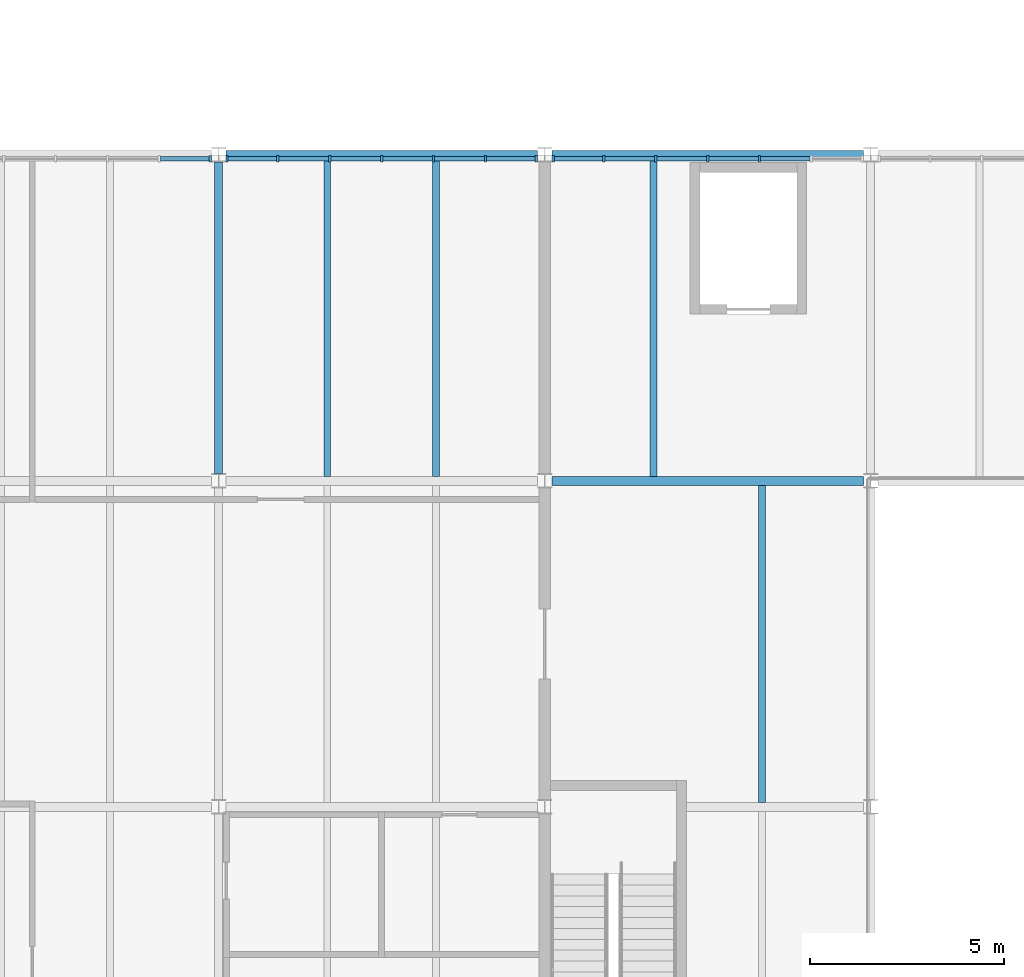
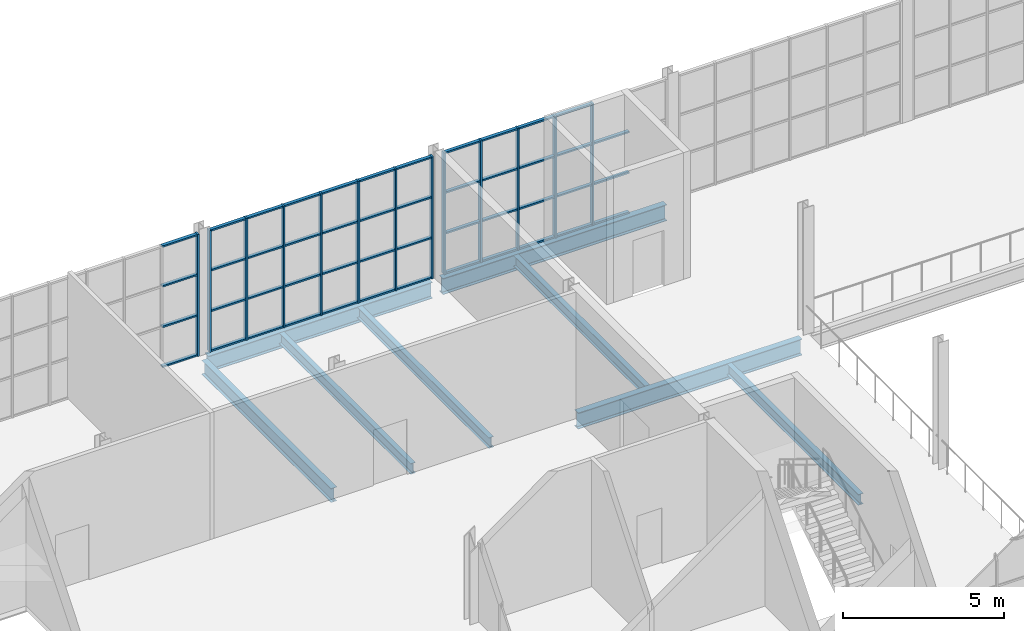
# One storey, part 40 of 127: 60 members, 8 beams, 3 elements without a shape of their own.
"""IFC4 building model written with IfcOpenShell, lengths in metres."""

from ifc_helpers import new_model, si_unit, direction, frame, origin, origin_2d, place, context, subcontext, project, spatial, rectangle, i_section, extrude, material, material_profile, profile_set, type_object, element, aggregate, save


model = new_model("IFC4")

# Units and contexts
model_context = context("Model", 3, precision=1e-05, world=origin(), true_north=direction((0.0, 1.0)))
body_context = subcontext(model_context, "Body", "Model", "MODEL_VIEW")
ifc_project = project(units=[si_unit("LENGTHUNIT", "METRE"), si_unit("AREAUNIT", "SQUARE_METRE"), si_unit("VOLUMEUNIT", "CUBIC_METRE"), si_unit("PLANEANGLEUNIT", "RADIAN"), si_unit("MASSUNIT", "GRAM", prefix="KILO")], contexts=[model_context])

# Site, building, storey
site_placement = place(None, origin())
site = spatial("IfcSite", under=ifc_project, at=site_placement, CompositionType="ELEMENT")
building_placement = place(site_placement, origin())
building = spatial("IfcBuilding", under=site, at=building_placement, Name="Ljudholm Concert House", CompositionType="ELEMENT")
storey_placement = place(building_placement, frame((0.0, 0.0, 5.39990234375)))
storey = spatial("IfcBuildingStorey", under=building, at=storey_placement, Name="L01", CompositionType="ELEMENT", Elevation=5.39990234375)

# Curtain wall, member
ifc_material_1 = material(Name="Aluminium curtain wall with impact-rated laminated glass", Category="aluminium")
curtain_wall_type = type_object("IfcCurtainWallType", Name="CURTAIN WALL 1400", PredefinedType="NOTDEFINED", material=ifc_material_1)
curtain_wall_1_placement = place(storey_placement, origin())
curtain_wall_1 = element("IfcCurtainWall", 1, at=curtain_wall_1_placement, inside=storey, type_object=curtain_wall_type, Name="North curtain wall", PredefinedType="NOTDEFINED")
ifc_material_2 = material(Name="Aluminium extrusion", Category="aluminium")
ifc_material_profile_1 = material_profile(ifc_material_2, rectangle(XDim=0.159912109375, YDim=0.06005859375, at=origin_2d()), Name="MULLION 60x160")
ifc_profile_set_1 = profile_set([ifc_material_profile_1], Name="Aluminium extrusion")
member_type_1 = type_object("IfcMemberType", Name="MULLION 60x160", PredefinedType="MULLION", material=ifc_profile_set_1)
member_1_placement = place(storey_placement, frame((20.583251953125, 129.89990234375, 0.0), z_axis=(0.0, 0.0, 1.0), x_axis=(0.0, 1.0, 0.0)))
member_1 = element("IfcMember", 2, at=member_1_placement, type_object=member_type_1, Name="Mullion", PredefinedType="MULLION", context=body_context, shape_type="SweptSolid", body=[
    extrude(rectangle(XDim=0.159912109375, YDim=0.06005859375, at=origin_2d()), origin(), (0.0, 0.0, 1.0), 4.6201171875),
])

# Curtain wall, members
curtain_wall_2_placement = place(storey_placement, origin())
curtain_wall_2 = element("IfcCurtainWall", 3, at=curtain_wall_2_placement, inside=storey, type_object=curtain_wall_type, Name="North curtain wall", PredefinedType="NOTDEFINED")
member_2_placement = place(storey_placement, frame((21.0166015625, 129.89990234375, 0.0), z_axis=(0.0, 0.0, 1.0), x_axis=(0.0, 1.0, 0.0)))
member_2 = element("IfcMember", 4, at=member_2_placement, type_object=member_type_1, Name="Mullion", PredefinedType="MULLION", context=body_context, shape_type="SweptSolid", body=[
    extrude(rectangle(XDim=0.159912109375, YDim=0.06005859375, at=origin_2d()), origin(), (0.0, 0.0, 1.0), 4.6201171875),
])
member_3_placement = place(storey_placement, frame((22.324462890625, 129.89990234375, 0.0), z_axis=(0.0, 0.0, 1.0), x_axis=(0.0, 1.0, 0.0)))
member_3 = element("IfcMember", 5, at=member_3_placement, type_object=member_type_1, Name="Mullion", PredefinedType="MULLION", context=body_context, shape_type="SweptSolid", body=[
    extrude(rectangle(XDim=0.159912109375, YDim=0.06005859375, at=origin_2d()), origin(), (0.0, 0.0, 1.0), 4.6201171875),
])
member_4_placement = place(storey_placement, frame((23.662109375, 129.89990234375, 0.0), z_axis=(0.0, 0.0, 1.0), x_axis=(0.0, 1.0, 0.0)))
member_4 = element("IfcMember", 6, at=member_4_placement, type_object=member_type_1, Name="Mullion", PredefinedType="MULLION", context=body_context, shape_type="SweptSolid", body=[
    extrude(rectangle(XDim=0.159912109375, YDim=0.06005859375, at=origin_2d()), origin(), (0.0, 0.0, 1.0), 4.6201171875),
])
member_5_placement = place(storey_placement, frame((25.0, 129.89990234375, 0.0), z_axis=(0.0, 0.0, 1.0), x_axis=(0.0, 1.0, 0.0)))
member_5 = element("IfcMember", 7, at=member_5_placement, type_object=member_type_1, Name="Mullion", PredefinedType="MULLION", context=body_context, shape_type="SweptSolid", body=[
    extrude(rectangle(XDim=0.159912109375, YDim=0.06005859375, at=origin_2d()), origin(), (0.0, 0.0, 1.0), 4.6201171875),
])
member_6_placement = place(storey_placement, frame((26.337890625, 129.89990234375, 0.0), z_axis=(0.0, 0.0, 1.0), x_axis=(0.0, 1.0, 0.0)))
member_6 = element("IfcMember", 8, at=member_6_placement, type_object=member_type_1, Name="Mullion", PredefinedType="MULLION", context=body_context, shape_type="SweptSolid", body=[
    extrude(rectangle(XDim=0.159912109375, YDim=0.06005859375, at=origin_2d()), origin(), (0.0, 0.0, 1.0), 4.6201171875),
])
member_7_placement = place(storey_placement, frame((27.675537109375, 129.89990234375, 0.0), z_axis=(0.0, 0.0, 1.0), x_axis=(0.0, 1.0, 0.0)))
member_7 = element("IfcMember", 9, at=member_7_placement, type_object=member_type_1, Name="Mullion", PredefinedType="MULLION", context=body_context, shape_type="SweptSolid", body=[
    extrude(rectangle(XDim=0.159912109375, YDim=0.06005859375, at=origin_2d()), origin(), (0.0, 0.0, 1.0), 4.6201171875),
])
member_8_placement = place(storey_placement, frame((28.9833984375, 129.89990234375, 0.0), z_axis=(0.0, 0.0, 1.0), x_axis=(0.0, 1.0, 0.0)))
member_8 = element("IfcMember", 10, at=member_8_placement, type_object=member_type_1, Name="Mullion", PredefinedType="MULLION", context=body_context, shape_type="SweptSolid", body=[
    extrude(rectangle(XDim=0.159912109375, YDim=0.06005859375, at=origin_2d()), origin(), (0.0, 0.0, 1.0), 4.6201171875),
])

curtain_wall_3_placement = place(storey_placement, origin())
curtain_wall_3 = element("IfcCurtainWall", 11, at=curtain_wall_3_placement, inside=storey, type_object=curtain_wall_type, Name="North curtain wall", PredefinedType="NOTDEFINED")
member_9_placement = place(storey_placement, frame((29.419921875, 129.89990234375, 0.0), z_axis=(0.0, 0.0, 1.0), x_axis=(0.0, 1.0, 0.0)))
member_9 = element("IfcMember", 12, at=member_9_placement, type_object=member_type_1, Name="Mullion", PredefinedType="MULLION", context=body_context, shape_type="SweptSolid", body=[
    extrude(rectangle(XDim=0.159912109375, YDim=0.06005859375, at=origin_2d()), origin(), (0.0, 0.0, 1.0), 4.6201171875),
])
member_10_placement = place(storey_placement, frame((30.7265625, 129.89990234375, 0.0), z_axis=(0.0, 0.0, 1.0), x_axis=(0.0, 1.0, 0.0)))
member_10 = element("IfcMember", 13, at=member_10_placement, type_object=member_type_1, Name="Mullion", PredefinedType="MULLION", context=body_context, shape_type="SweptSolid", body=[
    extrude(rectangle(XDim=0.159912109375, YDim=0.06005859375, at=origin_2d()), origin(), (0.0, 0.0, 1.0), 4.6201171875),
])
member_11_placement = place(storey_placement, frame((32.063232421875, 129.89990234375, 0.0), z_axis=(0.0, 0.0, 1.0), x_axis=(0.0, 1.0, 0.0)))
member_11 = element("IfcMember", 14, at=member_11_placement, type_object=member_type_1, Name="Mullion", PredefinedType="MULLION", context=body_context, shape_type="SweptSolid", body=[
    extrude(rectangle(XDim=0.159912109375, YDim=0.06005859375, at=origin_2d()), origin(), (0.0, 0.0, 1.0), 4.6201171875),
])
member_12_placement = place(storey_placement, frame((33.39990234375, 129.89990234375, 0.0), z_axis=(0.0, 0.0, 1.0), x_axis=(0.0, 1.0, 0.0)))
member_12 = element("IfcMember", 15, at=member_12_placement, type_object=member_type_1, Name="Mullion", PredefinedType="MULLION", context=body_context, shape_type="SweptSolid", body=[
    extrude(rectangle(XDim=0.159912109375, YDim=0.06005859375, at=origin_2d()), origin(), (0.0, 0.0, 1.0), 4.6201171875),
])
member_13_placement = place(storey_placement, frame((34.736572265625, 129.89990234375, 0.0), z_axis=(0.0, 0.0, 1.0), x_axis=(0.0, 1.0, 0.0)))
member_13 = element("IfcMember", 16, at=member_13_placement, type_object=member_type_1, Name="Mullion", PredefinedType="MULLION", context=body_context, shape_type="SweptSolid", body=[
    extrude(rectangle(XDim=0.159912109375, YDim=0.06005859375, at=origin_2d()), origin(), (0.0, 0.0, 1.0), 4.6201171875),
])

# Beams
ifc_material_3 = material(Name="Steel ASTM A992", Category="steel")
ifc_material_profile_2 = material_profile(ifc_material_3, i_section(OverallWidth=0.177734375, OverallDepth=0.406494140625, WebThickness=0.0078125, FlangeThickness=0.012939453125, FilletRadius=0.01025390625, at=origin_2d()), Name="W16X40")
ifc_profile_set_2 = profile_set([ifc_material_profile_2], Name="Steel ASTM A992")
beam_type_1 = type_object("IfcBeamType", Name="STEEL BEAM W16X40", PredefinedType="BEAM", material=ifc_profile_set_2)
for number, where, z_axis, x_axis, name in (
    (17, (23.60009765625, 121.714599609375, -0.383056640625), (0.0, 1.0, 0.0), (-1.0, 0.0, 0.0), "Secondary beam"),
    (18, (26.39990234375, 121.714599609375, -0.383056640625), (0.0, 1.0, 0.0), (-1.0, 0.0, 0.0), "Secondary beam"),
    (19, (32.0, 121.714599609375, -0.383056640625), (0.0, 1.0, 0.0), (-1.0, 0.0, 0.0), "Secondary beam"),
    (20, (34.800048828125, 113.314453125, -0.383056640625), (0.0, 1.0, 0.0), (-1.0, 0.0, 0.0), "Secondary beam"),
):
    element("IfcBeam", number, at=place(storey_placement, frame(where, z_axis=z_axis, x_axis=x_axis)), inside=storey, type_object=beam_type_1, Name=name, PredefinedType="BEAM", context=body_context, shape_type="SweptSolid", body=[
        extrude(i_section(OverallWidth=0.177734375, OverallDepth=0.406494140625, WebThickness=0.0078125, FlangeThickness=0.012939453125, FilletRadius=0.01025390625, at=origin_2d()), origin(), (0.0, 0.0, 1.0), 8.1708984375),
    ])
ifc_material_4 = material(Name="Steel ASTM A992", Category="steel")
ifc_material_profile_3 = material_profile(ifc_material_4, i_section(OverallWidth=0.209228515625, OverallDepth=0.533447265625, WebThickness=0.01025390625, FlangeThickness=0.015625, FilletRadius=0.012939453125, at=origin_2d()), Name="W21X62")
ifc_profile_set_3 = profile_set([ifc_material_profile_3], Name="Steel ASTM A992")
beam_type_2 = type_object("IfcBeamType", Name="STEEL BEAM W21X62", PredefinedType="BEAM", material=ifc_profile_set_3)
beam_1_placement = place(storey_placement, frame((20.800048828125, 121.78662109375, -0.446533203125), z_axis=(0.0, 1.0, 0.0), x_axis=(-1.0, 0.0, 0.0)))
element("IfcBeam", 21, at=beam_1_placement, inside=storey, type_object=beam_type_2, Name="Floor edge beam", PredefinedType="BEAM", context=body_context, shape_type="SweptSolid", body=[
    extrude(i_section(OverallWidth=0.209228515625, OverallDepth=0.533447265625, WebThickness=0.01025390625, FlangeThickness=0.015625, FilletRadius=0.012939453125, at=origin_2d()), origin(), (0.0, 0.0, 1.0), 8.026611328125),
])
ifc_material_5 = material(Name="Steel ASTM A992", Category="steel")
ifc_material_profile_4 = material_profile(ifc_material_5, i_section(OverallWidth=0.22900390625, OverallDepth=0.612060546875, WebThickness=0.011962890625, FlangeThickness=0.01953125, FilletRadius=0.0126953125, at=origin_2d()), Name="W24X84")
ifc_profile_set_4 = profile_set([ifc_material_profile_4], Name="Steel ASTM A992")
beam_type_3 = type_object("IfcBeamType", Name="STEEL BEAM W24X84", PredefinedType="BEAM", material=ifc_profile_set_4)
beam_2_placement = place(storey_placement, frame((20.986572265625, 130.0, -0.486083984375), z_axis=(1.0, 0.0, 0.0), x_axis=(0.0, 1.0, 0.0)))
element("IfcBeam", 22, at=beam_2_placement, inside=storey, type_object=beam_type_3, Name="Floor girder", PredefinedType="BEAM", context=body_context, shape_type="SweptSolid", body=[
    extrude(i_section(OverallWidth=0.22900390625, OverallDepth=0.612060546875, WebThickness=0.011962890625, FlangeThickness=0.01953125, FilletRadius=0.0126953125, at=origin_2d()), origin(), (0.0, 0.0, 1.0), 8.02685546875),
])
for number, where, z_axis, x_axis, name in (
    (23, (29.38671875, 121.60009765625, -0.486083984375), (1.0, 0.0, 0.0), (0.0, 1.0, 0.0), "Floor girder"),
    (24, (29.38671875, 130.0, -0.486083984375), (1.0, 0.0, 0.0), (0.0, 1.0, 0.0), "Floor girder"),
):
    element("IfcBeam", number, at=place(storey_placement, frame(where, z_axis=z_axis, x_axis=x_axis)), inside=storey, type_object=beam_type_3, Name=name, PredefinedType="BEAM", context=body_context, shape_type="SweptSolid", body=[
        extrude(i_section(OverallWidth=0.22900390625, OverallDepth=0.612060546875, WebThickness=0.011962890625, FlangeThickness=0.01953125, FilletRadius=0.0126953125, at=origin_2d()), origin(), (0.0, 0.0, 1.0), 8.026611328125),
    ])

# Member
ifc_material_6 = material(Name="Aluminium extrusion", Category="aluminium")
ifc_material_profile_5 = material_profile(ifc_material_6, rectangle(XDim=0.1201171875, YDim=0.06005859375, at=origin_2d()), Name="TRANSOM 60x120")
ifc_profile_set_5 = profile_set([ifc_material_profile_5], Name="Aluminium extrusion")
member_type_2 = type_object("IfcMemberType", Name="TRANSOM 60x120", PredefinedType="USERDEFINED", material=ifc_profile_set_5)
member_14_placement = place(storey_placement, frame((19.305419921875, 129.89990234375, 0.030029296875), z_axis=(1.0, 0.0, 0.0), x_axis=(0.0, 1.0, 0.0)))
member_14 = element("IfcMember", 25, at=member_14_placement, type_object=member_type_2, Name="Transom", ObjectType="TRANSOM", PredefinedType="USERDEFINED", context=body_context, shape_type="SweptSolid", body=[
    extrude(rectangle(XDim=0.1201171875, YDim=0.06005859375, at=origin_2d()), origin(), (0.0, 0.0, 1.0), 1.247802734375),
])

member_15_placement = place(storey_placement, frame((19.305419921875, 129.89990234375, 1.5400390625), z_axis=(1.0, 0.0, 0.0), x_axis=(0.0, 1.0, 0.0)))
member_15 = element("IfcMember", 26, at=member_15_placement, type_object=member_type_2, Name="Transom", ObjectType="TRANSOM", PredefinedType="USERDEFINED", context=body_context, shape_type="SweptSolid", body=[
    extrude(rectangle(XDim=0.1201171875, YDim=0.06005859375, at=origin_2d()), origin(), (0.0, 0.0, 1.0), 1.247802734375),
])

member_16_placement = place(storey_placement, frame((19.305419921875, 129.89990234375, 3.080078125), z_axis=(1.0, 0.0, 0.0), x_axis=(0.0, 1.0, 0.0)))
member_16 = element("IfcMember", 27, at=member_16_placement, type_object=member_type_2, Name="Transom", ObjectType="TRANSOM", PredefinedType="USERDEFINED", context=body_context, shape_type="SweptSolid", body=[
    extrude(rectangle(XDim=0.1201171875, YDim=0.06005859375, at=origin_2d()), origin(), (0.0, 0.0, 1.0), 1.247802734375),
])

member_17_placement = place(storey_placement, frame((19.305419921875, 129.89990234375, 4.590087890625), z_axis=(1.0, 0.0, 0.0), x_axis=(0.0, 1.0, 0.0)))
member_17 = element("IfcMember", 28, at=member_17_placement, type_object=member_type_2, Name="Transom", ObjectType="TRANSOM", PredefinedType="USERDEFINED", context=body_context, shape_type="SweptSolid", body=[
    extrude(rectangle(XDim=0.1201171875, YDim=0.06005859375, at=origin_2d()), origin(), (0.0, 0.0, 1.0), 1.247802734375),
])

aggregate(curtain_wall_1, [member_1, member_14, member_15, member_16, member_17])

member_18_placement = place(storey_placement, frame((21.046630859375, 129.89990234375, 0.030029296875), z_axis=(1.0, 0.0, 0.0), x_axis=(0.0, 1.0, 0.0)))
member_18 = element("IfcMember", 29, at=member_18_placement, type_object=member_type_2, Name="Transom", ObjectType="TRANSOM", PredefinedType="USERDEFINED", context=body_context, shape_type="SweptSolid", body=[
    extrude(rectangle(XDim=0.1201171875, YDim=0.06005859375, at=origin_2d()), origin(), (0.0, 0.0, 1.0), 1.247802734375),
])

member_19_placement = place(storey_placement, frame((21.046630859375, 129.89990234375, 1.5400390625), z_axis=(1.0, 0.0, 0.0), x_axis=(0.0, 1.0, 0.0)))
member_19 = element("IfcMember", 30, at=member_19_placement, type_object=member_type_2, Name="Transom", ObjectType="TRANSOM", PredefinedType="USERDEFINED", context=body_context, shape_type="SweptSolid", body=[
    extrude(rectangle(XDim=0.1201171875, YDim=0.06005859375, at=origin_2d()), origin(), (0.0, 0.0, 1.0), 1.247802734375),
])

member_20_placement = place(storey_placement, frame((21.046630859375, 129.89990234375, 3.080078125), z_axis=(1.0, 0.0, 0.0), x_axis=(0.0, 1.0, 0.0)))
member_20 = element("IfcMember", 31, at=member_20_placement, type_object=member_type_2, Name="Transom", ObjectType="TRANSOM", PredefinedType="USERDEFINED", context=body_context, shape_type="SweptSolid", body=[
    extrude(rectangle(XDim=0.1201171875, YDim=0.06005859375, at=origin_2d()), origin(), (0.0, 0.0, 1.0), 1.247802734375),
])

member_21_placement = place(storey_placement, frame((21.046630859375, 129.89990234375, 4.590087890625), z_axis=(1.0, 0.0, 0.0), x_axis=(0.0, 1.0, 0.0)))
member_21 = element("IfcMember", 32, at=member_21_placement, type_object=member_type_2, Name="Transom", ObjectType="TRANSOM", PredefinedType="USERDEFINED", context=body_context, shape_type="SweptSolid", body=[
    extrude(rectangle(XDim=0.1201171875, YDim=0.06005859375, at=origin_2d()), origin(), (0.0, 0.0, 1.0), 1.247802734375),
])

member_22_placement = place(storey_placement, frame((22.3544921875, 129.89990234375, 0.030029296875), z_axis=(1.0, 0.0, 0.0), x_axis=(0.0, 1.0, 0.0)))
member_22 = element("IfcMember", 33, at=member_22_placement, type_object=member_type_2, Name="Transom", ObjectType="TRANSOM", PredefinedType="USERDEFINED", context=body_context, shape_type="SweptSolid", body=[
    extrude(rectangle(XDim=0.1201171875, YDim=0.06005859375, at=origin_2d()), origin(), (0.0, 0.0, 1.0), 1.27783203125),
])

member_23_placement = place(storey_placement, frame((22.3544921875, 129.89990234375, 1.5400390625), z_axis=(1.0, 0.0, 0.0), x_axis=(0.0, 1.0, 0.0)))
member_23 = element("IfcMember", 34, at=member_23_placement, type_object=member_type_2, Name="Transom", ObjectType="TRANSOM", PredefinedType="USERDEFINED", context=body_context, shape_type="SweptSolid", body=[
    extrude(rectangle(XDim=0.1201171875, YDim=0.06005859375, at=origin_2d()), origin(), (0.0, 0.0, 1.0), 1.27783203125),
])

member_24_placement = place(storey_placement, frame((22.3544921875, 129.89990234375, 3.080078125), z_axis=(1.0, 0.0, 0.0), x_axis=(0.0, 1.0, 0.0)))
member_24 = element("IfcMember", 35, at=member_24_placement, type_object=member_type_2, Name="Transom", ObjectType="TRANSOM", PredefinedType="USERDEFINED", context=body_context, shape_type="SweptSolid", body=[
    extrude(rectangle(XDim=0.1201171875, YDim=0.06005859375, at=origin_2d()), origin(), (0.0, 0.0, 1.0), 1.27783203125),
])

member_25_placement = place(storey_placement, frame((22.3544921875, 129.89990234375, 4.590087890625), z_axis=(1.0, 0.0, 0.0), x_axis=(0.0, 1.0, 0.0)))
member_25 = element("IfcMember", 36, at=member_25_placement, type_object=member_type_2, Name="Transom", ObjectType="TRANSOM", PredefinedType="USERDEFINED", context=body_context, shape_type="SweptSolid", body=[
    extrude(rectangle(XDim=0.1201171875, YDim=0.06005859375, at=origin_2d()), origin(), (0.0, 0.0, 1.0), 1.27783203125),
])

member_26_placement = place(storey_placement, frame((23.692138671875, 129.89990234375, 0.030029296875), z_axis=(1.0, 0.0, 0.0), x_axis=(0.0, 1.0, 0.0)))
member_26 = element("IfcMember", 37, at=member_26_placement, type_object=member_type_2, Name="Transom", ObjectType="TRANSOM", PredefinedType="USERDEFINED", context=body_context, shape_type="SweptSolid", body=[
    extrude(rectangle(XDim=0.1201171875, YDim=0.06005859375, at=origin_2d()), origin(), (0.0, 0.0, 1.0), 1.27783203125),
])

member_27_placement = place(storey_placement, frame((23.692138671875, 129.89990234375, 1.5400390625), z_axis=(1.0, 0.0, 0.0), x_axis=(0.0, 1.0, 0.0)))
member_27 = element("IfcMember", 38, at=member_27_placement, type_object=member_type_2, Name="Transom", ObjectType="TRANSOM", PredefinedType="USERDEFINED", context=body_context, shape_type="SweptSolid", body=[
    extrude(rectangle(XDim=0.1201171875, YDim=0.06005859375, at=origin_2d()), origin(), (0.0, 0.0, 1.0), 1.27783203125),
])

member_28_placement = place(storey_placement, frame((23.692138671875, 129.89990234375, 3.080078125), z_axis=(1.0, 0.0, 0.0), x_axis=(0.0, 1.0, 0.0)))
member_28 = element("IfcMember", 39, at=member_28_placement, type_object=member_type_2, Name="Transom", ObjectType="TRANSOM", PredefinedType="USERDEFINED", context=body_context, shape_type="SweptSolid", body=[
    extrude(rectangle(XDim=0.1201171875, YDim=0.06005859375, at=origin_2d()), origin(), (0.0, 0.0, 1.0), 1.27783203125),
])

member_29_placement = place(storey_placement, frame((23.692138671875, 129.89990234375, 4.590087890625), z_axis=(1.0, 0.0, 0.0), x_axis=(0.0, 1.0, 0.0)))
member_29 = element("IfcMember", 40, at=member_29_placement, type_object=member_type_2, Name="Transom", ObjectType="TRANSOM", PredefinedType="USERDEFINED", context=body_context, shape_type="SweptSolid", body=[
    extrude(rectangle(XDim=0.1201171875, YDim=0.06005859375, at=origin_2d()), origin(), (0.0, 0.0, 1.0), 1.27783203125),
])

member_30_placement = place(storey_placement, frame((25.030029296875, 129.89990234375, 0.030029296875), z_axis=(1.0, 0.0, 0.0), x_axis=(0.0, 1.0, 0.0)))
member_30 = element("IfcMember", 41, at=member_30_placement, type_object=member_type_2, Name="Transom", ObjectType="TRANSOM", PredefinedType="USERDEFINED", context=body_context, shape_type="SweptSolid", body=[
    extrude(rectangle(XDim=0.1201171875, YDim=0.06005859375, at=origin_2d()), origin(), (0.0, 0.0, 1.0), 1.27783203125),
])

member_31_placement = place(storey_placement, frame((25.030029296875, 129.89990234375, 1.5400390625), z_axis=(1.0, 0.0, 0.0), x_axis=(0.0, 1.0, 0.0)))
member_31 = element("IfcMember", 42, at=member_31_placement, type_object=member_type_2, Name="Transom", ObjectType="TRANSOM", PredefinedType="USERDEFINED", context=body_context, shape_type="SweptSolid", body=[
    extrude(rectangle(XDim=0.1201171875, YDim=0.06005859375, at=origin_2d()), origin(), (0.0, 0.0, 1.0), 1.27783203125),
])

member_32_placement = place(storey_placement, frame((25.030029296875, 129.89990234375, 3.080078125), z_axis=(1.0, 0.0, 0.0), x_axis=(0.0, 1.0, 0.0)))
member_32 = element("IfcMember", 43, at=member_32_placement, type_object=member_type_2, Name="Transom", ObjectType="TRANSOM", PredefinedType="USERDEFINED", context=body_context, shape_type="SweptSolid", body=[
    extrude(rectangle(XDim=0.1201171875, YDim=0.06005859375, at=origin_2d()), origin(), (0.0, 0.0, 1.0), 1.27783203125),
])

member_33_placement = place(storey_placement, frame((25.030029296875, 129.89990234375, 4.590087890625), z_axis=(1.0, 0.0, 0.0), x_axis=(0.0, 1.0, 0.0)))
member_33 = element("IfcMember", 44, at=member_33_placement, type_object=member_type_2, Name="Transom", ObjectType="TRANSOM", PredefinedType="USERDEFINED", context=body_context, shape_type="SweptSolid", body=[
    extrude(rectangle(XDim=0.1201171875, YDim=0.06005859375, at=origin_2d()), origin(), (0.0, 0.0, 1.0), 1.27783203125),
])

member_34_placement = place(storey_placement, frame((26.36767578125, 129.89990234375, 0.030029296875), z_axis=(1.0, 0.0, 0.0), x_axis=(0.0, 1.0, 0.0)))
member_34 = element("IfcMember", 45, at=member_34_placement, type_object=member_type_2, Name="Transom", ObjectType="TRANSOM", PredefinedType="USERDEFINED", context=body_context, shape_type="SweptSolid", body=[
    extrude(rectangle(XDim=0.1201171875, YDim=0.06005859375, at=origin_2d()), origin(), (0.0, 0.0, 1.0), 1.27783203125),
])

member_35_placement = place(storey_placement, frame((26.36767578125, 129.89990234375, 1.5400390625), z_axis=(1.0, 0.0, 0.0), x_axis=(0.0, 1.0, 0.0)))
member_35 = element("IfcMember", 46, at=member_35_placement, type_object=member_type_2, Name="Transom", ObjectType="TRANSOM", PredefinedType="USERDEFINED", context=body_context, shape_type="SweptSolid", body=[
    extrude(rectangle(XDim=0.1201171875, YDim=0.06005859375, at=origin_2d()), origin(), (0.0, 0.0, 1.0), 1.27783203125),
])

member_36_placement = place(storey_placement, frame((26.36767578125, 129.89990234375, 3.080078125), z_axis=(1.0, 0.0, 0.0), x_axis=(0.0, 1.0, 0.0)))
member_36 = element("IfcMember", 47, at=member_36_placement, type_object=member_type_2, Name="Transom", ObjectType="TRANSOM", PredefinedType="USERDEFINED", context=body_context, shape_type="SweptSolid", body=[
    extrude(rectangle(XDim=0.1201171875, YDim=0.06005859375, at=origin_2d()), origin(), (0.0, 0.0, 1.0), 1.27783203125),
])

member_37_placement = place(storey_placement, frame((26.36767578125, 129.89990234375, 4.590087890625), z_axis=(1.0, 0.0, 0.0), x_axis=(0.0, 1.0, 0.0)))
member_37 = element("IfcMember", 48, at=member_37_placement, type_object=member_type_2, Name="Transom", ObjectType="TRANSOM", PredefinedType="USERDEFINED", context=body_context, shape_type="SweptSolid", body=[
    extrude(rectangle(XDim=0.1201171875, YDim=0.06005859375, at=origin_2d()), origin(), (0.0, 0.0, 1.0), 1.27783203125),
])

member_38_placement = place(storey_placement, frame((27.70556640625, 129.89990234375, 0.030029296875), z_axis=(1.0, 0.0, 0.0), x_axis=(0.0, 1.0, 0.0)))
member_38 = element("IfcMember", 49, at=member_38_placement, type_object=member_type_2, Name="Transom", ObjectType="TRANSOM", PredefinedType="USERDEFINED", context=body_context, shape_type="SweptSolid", body=[
    extrude(rectangle(XDim=0.1201171875, YDim=0.06005859375, at=origin_2d()), origin(), (0.0, 0.0, 1.0), 1.247802734375),
])

member_39_placement = place(storey_placement, frame((27.70556640625, 129.89990234375, 1.5400390625), z_axis=(1.0, 0.0, 0.0), x_axis=(0.0, 1.0, 0.0)))
member_39 = element("IfcMember", 50, at=member_39_placement, type_object=member_type_2, Name="Transom", ObjectType="TRANSOM", PredefinedType="USERDEFINED", context=body_context, shape_type="SweptSolid", body=[
    extrude(rectangle(XDim=0.1201171875, YDim=0.06005859375, at=origin_2d()), origin(), (0.0, 0.0, 1.0), 1.247802734375),
])

member_40_placement = place(storey_placement, frame((27.70556640625, 129.89990234375, 3.080078125), z_axis=(1.0, 0.0, 0.0), x_axis=(0.0, 1.0, 0.0)))
member_40 = element("IfcMember", 51, at=member_40_placement, type_object=member_type_2, Name="Transom", ObjectType="TRANSOM", PredefinedType="USERDEFINED", context=body_context, shape_type="SweptSolid", body=[
    extrude(rectangle(XDim=0.1201171875, YDim=0.06005859375, at=origin_2d()), origin(), (0.0, 0.0, 1.0), 1.247802734375),
])

member_41_placement = place(storey_placement, frame((27.70556640625, 129.89990234375, 4.590087890625), z_axis=(1.0, 0.0, 0.0), x_axis=(0.0, 1.0, 0.0)))
member_41 = element("IfcMember", 52, at=member_41_placement, type_object=member_type_2, Name="Transom", ObjectType="TRANSOM", PredefinedType="USERDEFINED", context=body_context, shape_type="SweptSolid", body=[
    extrude(rectangle(XDim=0.1201171875, YDim=0.06005859375, at=origin_2d()), origin(), (0.0, 0.0, 1.0), 1.247802734375),
])

aggregate(curtain_wall_2, [member_2, member_3, member_4, member_5, member_6, member_7, member_8, member_18, member_19, member_20, member_21, member_22, member_23, member_24, member_25, member_26, member_27, member_28, member_29, member_30, member_31, member_32, member_33, member_34, member_35, member_36, member_37, member_38, member_39, member_40, member_41])

member_42_placement = place(storey_placement, frame((29.449951171875, 129.89990234375, 0.030029296875), z_axis=(1.0, 0.0, 0.0), x_axis=(0.0, 1.0, 0.0)))
member_42 = element("IfcMember", 53, at=member_42_placement, type_object=member_type_2, Name="Transom", ObjectType="TRANSOM", PredefinedType="USERDEFINED", context=body_context, shape_type="SweptSolid", body=[
    extrude(rectangle(XDim=0.1201171875, YDim=0.06005859375, at=origin_2d()), origin(), (0.0, 0.0, 1.0), 1.246826171875),
])

member_43_placement = place(storey_placement, frame((29.449951171875, 129.89990234375, 1.5400390625), z_axis=(1.0, 0.0, 0.0), x_axis=(0.0, 1.0, 0.0)))
member_43 = element("IfcMember", 54, at=member_43_placement, type_object=member_type_2, Name="Transom", ObjectType="TRANSOM", PredefinedType="USERDEFINED", context=body_context, shape_type="SweptSolid", body=[
    extrude(rectangle(XDim=0.1201171875, YDim=0.06005859375, at=origin_2d()), origin(), (0.0, 0.0, 1.0), 1.246826171875),
])

member_44_placement = place(storey_placement, frame((29.449951171875, 129.89990234375, 3.080078125), z_axis=(1.0, 0.0, 0.0), x_axis=(0.0, 1.0, 0.0)))
member_44 = element("IfcMember", 55, at=member_44_placement, type_object=member_type_2, Name="Transom", ObjectType="TRANSOM", PredefinedType="USERDEFINED", context=body_context, shape_type="SweptSolid", body=[
    extrude(rectangle(XDim=0.1201171875, YDim=0.06005859375, at=origin_2d()), origin(), (0.0, 0.0, 1.0), 1.246826171875),
])

member_45_placement = place(storey_placement, frame((29.449951171875, 129.89990234375, 4.590087890625), z_axis=(1.0, 0.0, 0.0), x_axis=(0.0, 1.0, 0.0)))
member_45 = element("IfcMember", 56, at=member_45_placement, type_object=member_type_2, Name="Transom", ObjectType="TRANSOM", PredefinedType="USERDEFINED", context=body_context, shape_type="SweptSolid", body=[
    extrude(rectangle(XDim=0.1201171875, YDim=0.06005859375, at=origin_2d()), origin(), (0.0, 0.0, 1.0), 1.246826171875),
])

member_46_placement = place(storey_placement, frame((30.756591796875, 129.89990234375, 0.030029296875), z_axis=(1.0, 0.0, 0.0), x_axis=(0.0, 1.0, 0.0)))
member_46 = element("IfcMember", 57, at=member_46_placement, type_object=member_type_2, Name="Transom", ObjectType="TRANSOM", PredefinedType="USERDEFINED", context=body_context, shape_type="SweptSolid", body=[
    extrude(rectangle(XDim=0.1201171875, YDim=0.06005859375, at=origin_2d()), origin(), (0.0, 0.0, 1.0), 1.27685546875),
])

member_47_placement = place(storey_placement, frame((30.756591796875, 129.89990234375, 1.5400390625), z_axis=(1.0, 0.0, 0.0), x_axis=(0.0, 1.0, 0.0)))
member_47 = element("IfcMember", 58, at=member_47_placement, type_object=member_type_2, Name="Transom", ObjectType="TRANSOM", PredefinedType="USERDEFINED", context=body_context, shape_type="SweptSolid", body=[
    extrude(rectangle(XDim=0.1201171875, YDim=0.06005859375, at=origin_2d()), origin(), (0.0, 0.0, 1.0), 1.27685546875),
])

member_48_placement = place(storey_placement, frame((30.756591796875, 129.89990234375, 3.080078125), z_axis=(1.0, 0.0, 0.0), x_axis=(0.0, 1.0, 0.0)))
member_48 = element("IfcMember", 59, at=member_48_placement, type_object=member_type_2, Name="Transom", ObjectType="TRANSOM", PredefinedType="USERDEFINED", context=body_context, shape_type="SweptSolid", body=[
    extrude(rectangle(XDim=0.1201171875, YDim=0.06005859375, at=origin_2d()), origin(), (0.0, 0.0, 1.0), 1.27685546875),
])

member_49_placement = place(storey_placement, frame((30.756591796875, 129.89990234375, 4.590087890625), z_axis=(1.0, 0.0, 0.0), x_axis=(0.0, 1.0, 0.0)))
member_49 = element("IfcMember", 60, at=member_49_placement, type_object=member_type_2, Name="Transom", ObjectType="TRANSOM", PredefinedType="USERDEFINED", context=body_context, shape_type="SweptSolid", body=[
    extrude(rectangle(XDim=0.1201171875, YDim=0.06005859375, at=origin_2d()), origin(), (0.0, 0.0, 1.0), 1.27685546875),
])

member_50_placement = place(storey_placement, frame((32.09326171875, 129.89990234375, 0.030029296875), z_axis=(1.0, 0.0, 0.0), x_axis=(0.0, 1.0, 0.0)))
member_50 = element("IfcMember", 61, at=member_50_placement, type_object=member_type_2, Name="Transom", ObjectType="TRANSOM", PredefinedType="USERDEFINED", context=body_context, shape_type="SweptSolid", body=[
    extrude(rectangle(XDim=0.1201171875, YDim=0.06005859375, at=origin_2d()), origin(), (0.0, 0.0, 1.0), 1.27685546875),
])

member_51_placement = place(storey_placement, frame((32.09326171875, 129.89990234375, 1.5400390625), z_axis=(1.0, 0.0, 0.0), x_axis=(0.0, 1.0, 0.0)))
member_51 = element("IfcMember", 62, at=member_51_placement, type_object=member_type_2, Name="Transom", ObjectType="TRANSOM", PredefinedType="USERDEFINED", context=body_context, shape_type="SweptSolid", body=[
    extrude(rectangle(XDim=0.1201171875, YDim=0.06005859375, at=origin_2d()), origin(), (0.0, 0.0, 1.0), 1.27685546875),
])

member_52_placement = place(storey_placement, frame((32.09326171875, 129.89990234375, 3.080078125), z_axis=(1.0, 0.0, 0.0), x_axis=(0.0, 1.0, 0.0)))
member_52 = element("IfcMember", 63, at=member_52_placement, type_object=member_type_2, Name="Transom", ObjectType="TRANSOM", PredefinedType="USERDEFINED", context=body_context, shape_type="SweptSolid", body=[
    extrude(rectangle(XDim=0.1201171875, YDim=0.06005859375, at=origin_2d()), origin(), (0.0, 0.0, 1.0), 1.27685546875),
])

member_53_placement = place(storey_placement, frame((32.09326171875, 129.89990234375, 4.590087890625), z_axis=(1.0, 0.0, 0.0), x_axis=(0.0, 1.0, 0.0)))
member_53 = element("IfcMember", 64, at=member_53_placement, type_object=member_type_2, Name="Transom", ObjectType="TRANSOM", PredefinedType="USERDEFINED", context=body_context, shape_type="SweptSolid", body=[
    extrude(rectangle(XDim=0.1201171875, YDim=0.06005859375, at=origin_2d()), origin(), (0.0, 0.0, 1.0), 1.27685546875),
])

member_54_placement = place(storey_placement, frame((33.429931640625, 129.89990234375, 0.030029296875), z_axis=(1.0, 0.0, 0.0), x_axis=(0.0, 1.0, 0.0)))
member_54 = element("IfcMember", 65, at=member_54_placement, type_object=member_type_2, Name="Transom", ObjectType="TRANSOM", PredefinedType="USERDEFINED", context=body_context, shape_type="SweptSolid", body=[
    extrude(rectangle(XDim=0.1201171875, YDim=0.06005859375, at=origin_2d()), origin(), (0.0, 0.0, 1.0), 1.27685546875),
])

member_55_placement = place(storey_placement, frame((33.429931640625, 129.89990234375, 1.5400390625), z_axis=(1.0, 0.0, 0.0), x_axis=(0.0, 1.0, 0.0)))
member_55 = element("IfcMember", 66, at=member_55_placement, type_object=member_type_2, Name="Transom", ObjectType="TRANSOM", PredefinedType="USERDEFINED", context=body_context, shape_type="SweptSolid", body=[
    extrude(rectangle(XDim=0.1201171875, YDim=0.06005859375, at=origin_2d()), origin(), (0.0, 0.0, 1.0), 1.27685546875),
])

member_56_placement = place(storey_placement, frame((33.429931640625, 129.89990234375, 3.080078125), z_axis=(1.0, 0.0, 0.0), x_axis=(0.0, 1.0, 0.0)))
member_56 = element("IfcMember", 67, at=member_56_placement, type_object=member_type_2, Name="Transom", ObjectType="TRANSOM", PredefinedType="USERDEFINED", context=body_context, shape_type="SweptSolid", body=[
    extrude(rectangle(XDim=0.1201171875, YDim=0.06005859375, at=origin_2d()), origin(), (0.0, 0.0, 1.0), 1.27685546875),
])

member_57_placement = place(storey_placement, frame((33.429931640625, 129.89990234375, 4.590087890625), z_axis=(1.0, 0.0, 0.0), x_axis=(0.0, 1.0, 0.0)))
member_57 = element("IfcMember", 68, at=member_57_placement, type_object=member_type_2, Name="Transom", ObjectType="TRANSOM", PredefinedType="USERDEFINED", context=body_context, shape_type="SweptSolid", body=[
    extrude(rectangle(XDim=0.1201171875, YDim=0.06005859375, at=origin_2d()), origin(), (0.0, 0.0, 1.0), 1.27685546875),
])

member_58_placement = place(storey_placement, frame((34.7666015625, 129.89990234375, 0.030029296875), z_axis=(1.0, 0.0, 0.0), x_axis=(0.0, 1.0, 0.0)))
member_58 = element("IfcMember", 69, at=member_58_placement, type_object=member_type_2, Name="Transom", ObjectType="TRANSOM", PredefinedType="USERDEFINED", context=body_context, shape_type="SweptSolid", body=[
    extrude(rectangle(XDim=0.1201171875, YDim=0.06005859375, at=origin_2d()), origin(), (0.0, 0.0, 1.0), 1.276611328125),
])

member_59_placement = place(storey_placement, frame((34.7666015625, 129.89990234375, 1.5400390625), z_axis=(1.0, 0.0, 0.0), x_axis=(0.0, 1.0, 0.0)))
member_59 = element("IfcMember", 70, at=member_59_placement, type_object=member_type_2, Name="Transom", ObjectType="TRANSOM", PredefinedType="USERDEFINED", context=body_context, shape_type="SweptSolid", body=[
    extrude(rectangle(XDim=0.1201171875, YDim=0.06005859375, at=origin_2d()), origin(), (0.0, 0.0, 1.0), 1.276611328125),
])

member_60_placement = place(storey_placement, frame((34.7666015625, 129.89990234375, 3.080078125), z_axis=(1.0, 0.0, 0.0), x_axis=(0.0, 1.0, 0.0)))
member_60 = element("IfcMember", 71, at=member_60_placement, type_object=member_type_2, Name="Transom", ObjectType="TRANSOM", PredefinedType="USERDEFINED", context=body_context, shape_type="SweptSolid", body=[
    extrude(rectangle(XDim=0.1201171875, YDim=0.06005859375, at=origin_2d()), origin(), (0.0, 0.0, 1.0), 1.276611328125),
])

aggregate(curtain_wall_3, [member_9, member_10, member_11, member_12, member_13, member_42, member_43, member_44, member_45, member_46, member_47, member_48, member_49, member_50, member_51, member_52, member_53, member_54, member_55, member_56, member_57, member_58, member_59, member_60])

save(model, "model.ifc")
